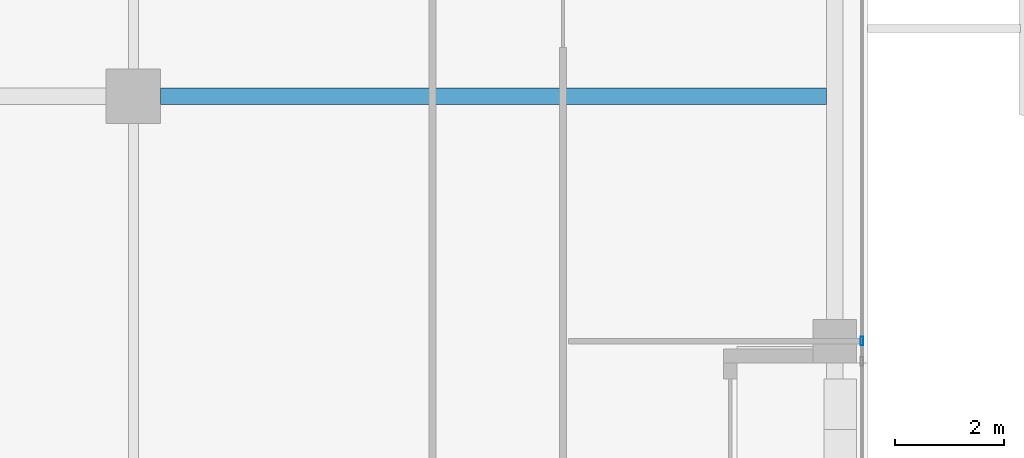
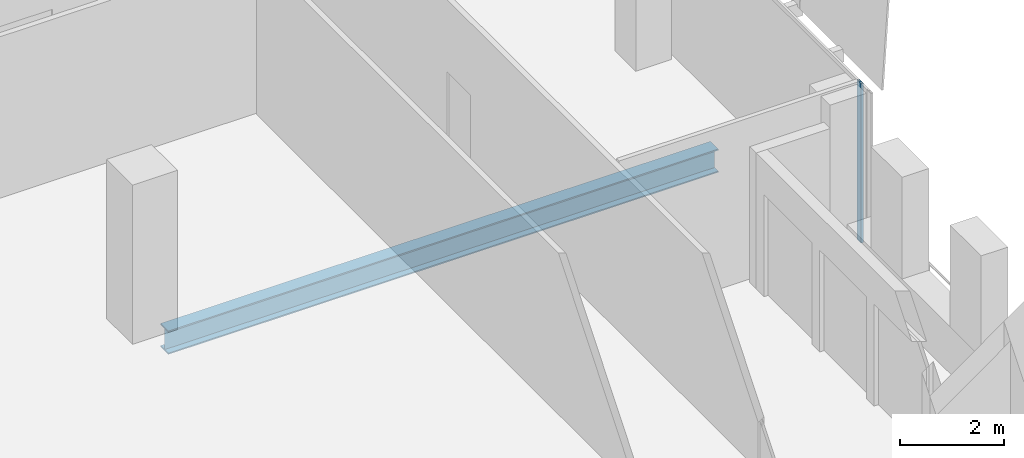
# One storey, part 11 of 32: 1 beam, 1 member, 1 element without a shape of its own.
"""IFC4 building model written with IfcOpenShell, lengths in metres."""

from ifc_helpers import new_model, si_unit, direction, frame, origin, origin_2d, place, context, subcontext, project, spatial, hollow_rectangle, i_section, extrude, source, transform, mapped, material, material_profile, profile_set, type_object, element, aggregate, save


model = new_model("IFC4")

# Units and contexts
model_context = context("Model", 3, precision=1e-05, world=origin(), true_north=direction((0.0, 1.0)))
body_context = subcontext(model_context, "Body", "Model", "MODEL_VIEW")
ifc_project = project(units=[si_unit("LENGTHUNIT", "METRE"), si_unit("AREAUNIT", "SQUARE_METRE"), si_unit("VOLUMEUNIT", "CUBIC_METRE"), si_unit("PLANEANGLEUNIT", "RADIAN"), si_unit("MASSUNIT", "GRAM", prefix="KILO")], contexts=[model_context])

# Site, building, storey
site_placement = place(None, origin())
site = spatial("IfcSite", under=ifc_project, at=site_placement, CompositionType="ELEMENT")
building_placement = place(site_placement, origin())
building = spatial("IfcBuilding", under=site, at=building_placement, Name="Khomas Fold Tower", CompositionType="ELEMENT")
storey_placement = place(building_placement, frame((0.0, 0.0, 318.199951171875)))
storey = spatial("IfcBuildingStorey", under=building, at=storey_placement, Name="L72", CompositionType="ELEMENT", Elevation=318.199951171875)

# Beam
ifc_material_1 = material(Name="Steel S355", Category="steel")
ifc_material_profile_1 = material_profile(ifc_material_1, i_section(OverallWidth=0.300048828125, OverallDepth=0.550048828125, WebThickness=0.014892578125, FlangeThickness=0.029052734375, at=origin_2d()), Name="HE 550 B")
ifc_profile_set_1 = profile_set([ifc_material_profile_1], Name="Steel S355")
beam_type = type_object("IfcBeamType", Name="HE 550 B beam GB4", PredefinedType="BEAM", material=ifc_profile_set_1)
shared_shape_1 = source(origin(), body_context, "Body", "SweptSolid", [
    extrude(i_section(OverallWidth=0.300048828125, OverallDepth=0.550048828125, WebThickness=0.014892578125, FlangeThickness=0.029052734375, at=origin_2d()), origin(), (0.0, 0.0, 1.0), 12.25),
])
beam_placement = place(storey_placement, frame((35.0, 31.5, -0.52490234375), z_axis=(1.0, 0.0, 0.0), x_axis=(0.0, 1.0, 0.0)))
element("IfcBeam", 1, at=beam_placement, inside=storey, type_object=beam_type, Name="GB4", PredefinedType="BEAM", context=body_context, shape_type="MappedRepresentation", body=[
    mapped(shared_shape_1, transform((0.0, 0.0, 0.0))),
])

# Curtain wall, member
ifc_material_2 = material(Name="Aluminium framed double glazing", Category="aluminium")
curtain_wall_type = type_object("IfcCurtainWallType", Name="SK-Unitised clear-glass wall, upper floors CW3", PredefinedType="NOTDEFINED", material=ifc_material_2)
curtain_wall_placement = place(storey_placement, origin())
curtain_wall = element("IfcCurtainWall", 2, at=curtain_wall_placement, inside=storey, type_object=curtain_wall_type, Name="CW3 run L72 03-1", PredefinedType="NOTDEFINED")
ifc_material_3 = material(Name="Aluminium", Category="aluminium")
ifc_material_profile_2 = material_profile(ifc_material_3, hollow_rectangle(XDim=0.050048828125, YDim=0.159912109375, WallThickness=0.00390625, at=origin_2d()), Name="SK-Unitised clear-glass wall, upper floors mullion CW3-M")
ifc_profile_set_2 = profile_set([ifc_material_profile_2], Name="Aluminium")
member_type = type_object("IfcMemberType", Name="SK-Unitised clear-glass wall, upper floors mullion CW3-M", PredefinedType="MULLION", material=ifc_profile_set_2)
shared_shape_2 = source(origin(), body_context, "Body", "SweptSolid", [
    extrude(hollow_rectangle(XDim=0.050048828125, YDim=0.159912109375, WallThickness=0.00390625, at=origin_2d()), origin(), (0.0, 0.0, 1.0), 3.75),
])
member_placement = place(storey_placement, frame((47.89990234375, 27.0, 0.0), z_axis=(0.0, 0.0, 1.0), x_axis=(-1.0, 0.0, 0.0)))
member = element("IfcMember", 3, at=member_placement, type_object=member_type, Name="CW3 mullion 2", PredefinedType="MULLION", context=body_context, shape_type="MappedRepresentation", body=[
    mapped(shared_shape_2, transform((0.0, 0.0, 0.0))),
])
aggregate(curtain_wall, [member])

save(model, "model.ifc")
